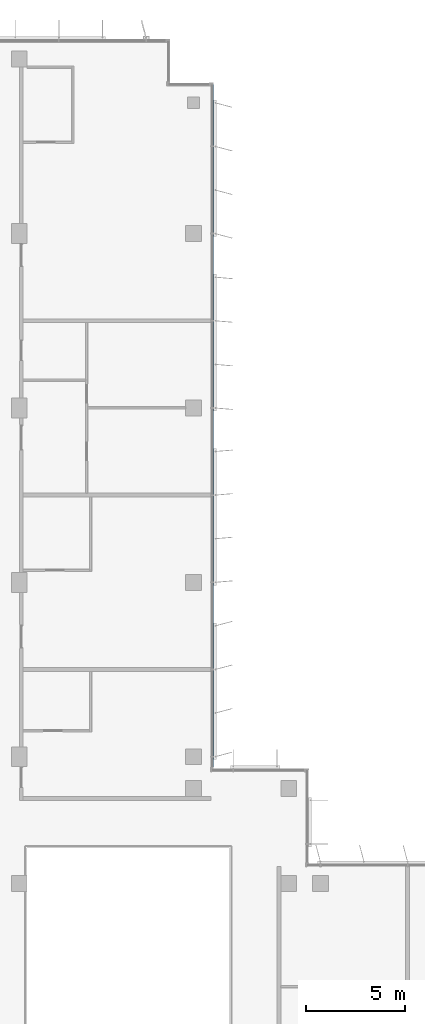
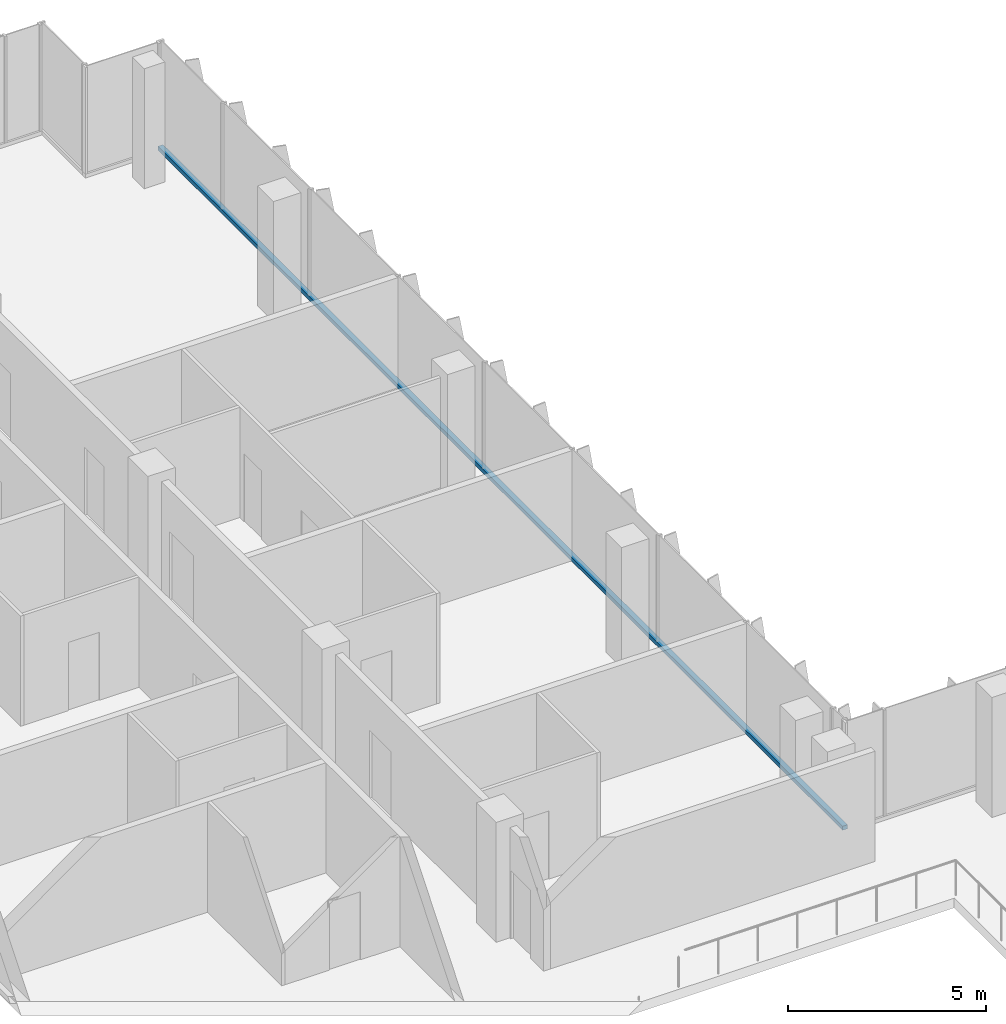
# One storey, part 5 of 15: 1 member, 1 element without a shape of its own.
"""IFC4 building model written with IfcOpenShell, lengths in metres."""

import ifcopenshell
import ifcopenshell.guid

model = None  # the IFC model being written
_history = None  # IfcOwnerHistory: only IFC2X3 demands one
_inside = {}  # id of a spatial element -> (the spatial element, [elements in it])
_under = {}  # id of a project, library or spatial element -> (it, [spatial elements below it])
_declared = {}  # id of a project -> (the project, [libraries it declares])
_typed = {}  # id of a type object -> (the type object, [elements of that type])
_made_of = {}  # id of a material, layer set ... -> (it, [elements and type objects made of it])


def new_model(schema):
    """Start an empty IFC model of exactly this schema.

    Asked for "IFC4X3", IfcOpenShell would pick the latest addendum, in which some entities
    have other attributes; the version numbers below select the first issue.
    IFC2X3 requires an IfcOwnerHistory on every rooted entity: one is made here for all.
    """
    global model, _history
    if schema == "IFC4X3":
        model = ifcopenshell.file(schema_version=(4, 3, 0, 0))
    else:
        model = ifcopenshell.file(schema=schema)
    _inside.clear()
    _under.clear()
    _declared.clear()
    _typed.clear()
    _made_of.clear()
    _history = None
    if model.schema == "IFC2X3":
        org = make("IfcOrganization", Name="unknown")
        user = make(
            "IfcPersonAndOrganization",
            ThePerson=make("IfcPerson", FamilyName="unknown"),
            TheOrganization=org,
        )
        app = make(
            "IfcApplication",
            ApplicationDeveloper=org,
            Version="unknown",
            ApplicationFullName="unknown",
            ApplicationIdentifier="unknown",
        )
        _history = make(
            "IfcOwnerHistory",
            OwningUser=user,
            OwningApplication=app,
            ChangeAction="ADDED",
            CreationDate=0,
        )
    return model


def make(cls, **values):
    """One entity of the class cls with the attributes given. An attribute that is None is left unset."""
    return model.create_entity(
        cls, **{name: value for name, value in values.items() if value is not None}
    )


def rooted(cls, **values):
    """An entity with a GlobalId (a new one), such as an element, a storey or a relation."""
    return make(cls, GlobalId=ifcopenshell.guid.new(), OwnerHistory=_history, **values)


def si_unit(unit_type, name, prefix=None):
    """IfcSIUnit, for example si_unit("LENGTHUNIT", "METRE", prefix="MILLI")."""
    return make("IfcSIUnit", UnitType=unit_type, Prefix=prefix, Name=name)


def assignment(units):
    """IfcUnitAssignment: the units of a project."""
    return None if units is None else make("IfcUnitAssignment", Units=units)


def point(xyz):
    """IfcCartesianPoint."""
    return None if xyz is None else make("IfcCartesianPoint", Coordinates=xyz)


def direction(xyz):
    """IfcDirection."""
    return None if xyz is None else make("IfcDirection", DirectionRatios=xyz)


def frame(location, z_axis=None, x_axis=None):
    """IfcAxis2Placement3D, a coordinate frame: its origin and axes. An axis left out is left unset."""
    return make(
        "IfcAxis2Placement3D",
        Location=point(location),
        Axis=direction(z_axis),
        RefDirection=direction(x_axis),
    )


def frame_2d(location, x_axis=None):
    """IfcAxis2Placement2D, a coordinate frame in the plane: its origin and x axis."""
    return make(
        "IfcAxis2Placement2D", Location=point(location), RefDirection=direction(x_axis)
    )


def origin():
    """The frame at (0, 0, 0) with its axes left unset."""
    return frame((0.0, 0.0, 0.0))


def origin_2d():
    """The frame at (0, 0) in the plane with its x axis left unset."""
    return frame_2d((0.0, 0.0))


def place(relative_to, where):
    """IfcLocalPlacement: puts the frame where relative to a parent placement (None: the world)."""
    return make(
        "IfcLocalPlacement", PlacementRelTo=relative_to, RelativePlacement=where
    )


def context(
    kind, dimensions, precision=None, world=None, true_north=None, identifier=None
):
    """IfcGeometricRepresentationContext, for example the 3D "Model" context."""
    return make(
        "IfcGeometricRepresentationContext",
        ContextIdentifier=identifier,
        ContextType=kind,
        CoordinateSpaceDimension=dimensions,
        Precision=precision,
        WorldCoordinateSystem=world,
        TrueNorth=true_north,
    )


def subcontext(parent, identifier, kind, view, scale=None):
    """IfcGeometricRepresentationSubContext, for example "Body" below "Model"."""
    return make(
        "IfcGeometricRepresentationSubContext",
        ContextIdentifier=identifier,
        ContextType=kind,
        ParentContext=parent,
        TargetScale=scale,
        TargetView=view,
    )


def project(units=None, contexts=None):
    """IfcProject with its units and contexts."""
    return rooted(
        "IfcProject",
        Name="project",
        RepresentationContexts=contexts,
        UnitsInContext=assignment(units),
    )


def spatial(cls, under=None, at=None, **own):
    """A site, building, storey or space (cls), placed at a placement, below another one or the project."""
    s = rooted(cls, ObjectPlacement=at, **own)
    if under is not None:
        _under.setdefault(under.id(), (under, []))[1].append(s)
    return s


def profile(cls, at=None, kind="AREA", **sizes):
    """A parametric profile (cls). Its sizes go by their IFC names, for example OverallWidth=200.0."""
    return make(cls, ProfileType=kind, Position=at, **sizes)


def rectangle(**sizes):
    """IfcRectangleProfileDef."""
    return profile("IfcRectangleProfileDef", **sizes)


def extrude(swept, where, along, depth):
    """IfcExtrudedAreaSolid: the profile swept, set in the frame where, extruded along a direction by depth."""
    return make(
        "IfcExtrudedAreaSolid",
        SweptArea=swept,
        Position=where,
        ExtrudedDirection=direction(along),
        Depth=depth,
    )


def shape(context_of_items, identifier, shape_type, items):
    """IfcShapeRepresentation: the items that make up one representation, for example the "Body"."""
    return make(
        "IfcShapeRepresentation",
        ContextOfItems=context_of_items,
        RepresentationIdentifier=identifier,
        RepresentationType=shape_type,
        Items=items,
    )


def material(Name=None, Category=None):
    """IfcMaterial."""
    return make("IfcMaterial", Name=Name, Category=Category)


def material_profile(
    of_material, cross_section, Name=None, Category=None, Priority=None
):
    """IfcMaterialProfile: a cross section and its material."""
    return make(
        "IfcMaterialProfile",
        Name=Name,
        Material=of_material,
        Profile=cross_section,
        Priority=Priority,
        Category=Category,
    )


def profile_set(profiles, Name=None, composite=None):
    """IfcMaterialProfileSet."""
    return make(
        "IfcMaterialProfileSet",
        Name=Name,
        MaterialProfiles=profiles,
        CompositeProfile=composite,
    )


def made_of(thing, what):
    """Note that an element or type object is made of a material, layer set ...; save() writes the relation."""
    if what is not None:
        _made_of.setdefault(what.id(), (what, []))[1].append(thing)
    return thing


def type_object(cls, material=None, **own):
    """A type object (cls), such as IfcWallType, which elements share."""
    return made_of(rooted(cls, **own), material)


def element(
    cls,
    number,
    at=None,
    inside=None,
    cuts=None,
    type_object=None,
    material=None,
    context=None,
    identifier="Body",
    shape_type=None,
    held_by="IfcProductDefinitionShape",
    body=None,
    shapes=None,
    **own,
):
    """One element of the class cls, such as IfcWall. Its Tag is "e" and its number.

    at: its placement. inside: the storey or other place that contains it. cuts: it is an
    opening in that element (IfcRelVoidsElement). A single representation is given by context,
    identifier, shape_type and body (its items); several are given by shapes. held_by: the class
    of the entity that holds the representations. save() writes the other relations.
    """
    e = rooted(cls, Tag="e%d" % number, ObjectPlacement=at, **own)
    if body is not None:
        shapes = [shape(context, identifier, shape_type, body)]
    if shapes is not None:
        e.Representation = make(held_by, Representations=shapes)
    if inside is not None:
        _inside.setdefault(inside.id(), (inside, []))[1].append(e)
    if cuts is not None:
        rooted(
            "IfcRelVoidsElement", RelatingBuildingElement=cuts, RelatedOpeningElement=e
        )
    if type_object is not None:
        _typed.setdefault(type_object.id(), (type_object, []))[1].append(e)
    return made_of(e, material)


def aggregate(whole, parts):
    """IfcRelAggregates: a whole, such as a stair, and the parts it consists of."""
    return rooted("IfcRelAggregates", RelatingObject=whole, RelatedObjects=parts)


def save(model, path):
    """Write the relations noted so far, then the file.

    IfcRelAggregates (storeys below a building ...), IfcRelContainedInSpatialStructure (elements
    in a storey), IfcRelDefinesByType, IfcRelAssociatesMaterial and IfcRelDeclares: one each for
    every whole, place, type object, material and project.
    """
    for whole, parts in _under.values():
        aggregate(whole, parts)
    for where, things in _inside.values():
        rooted(
            "IfcRelContainedInSpatialStructure",
            RelatedElements=things,
            RelatingStructure=where,
        )
    for kind, things in _typed.values():
        rooted("IfcRelDefinesByType", RelatedObjects=things, RelatingType=kind)
    for what, things in _made_of.values():
        rooted("IfcRelAssociatesMaterial", RelatedObjects=things, RelatingMaterial=what)
    for by, libraries in _declared.values():
        rooted("IfcRelDeclares", RelatingContext=by, RelatedDefinitions=libraries)
    model.write(path)


model = new_model("IFC4")

# Units and contexts
model_context = context("Model", 3, precision=1e-05, world=origin(), true_north=direction((0.0, 1.0)))
body_context = subcontext(model_context, "Body", "Model", "MODEL_VIEW")
ifc_project = project(units=[si_unit("LENGTHUNIT", "METRE"), si_unit("AREAUNIT", "SQUARE_METRE"), si_unit("VOLUMEUNIT", "CUBIC_METRE"), si_unit("PLANEANGLEUNIT", "RADIAN"), si_unit("MASSUNIT", "GRAM", prefix="KILO")], contexts=[model_context])

# Site, building, storey
site_placement = place(None, origin())
site = spatial("IfcSite", under=ifc_project, at=site_placement, CompositionType="ELEMENT")
building_placement = place(site_placement, origin())
building = spatial("IfcBuilding", under=site, at=building_placement, Name="Kemantara Hotel Tower", CompositionType="ELEMENT")
storey_placement = place(building_placement, frame((0.0, 0.0, 261.10009765625)))
storey = spatial("IfcBuildingStorey", under=building, at=storey_placement, Name="L65", CompositionType="ELEMENT", Elevation=261.10009765625)

# Curtain wall, member
ifc_material_1 = material(Name="Low-E tinted double insulated glass 36 mm", Category="glass")
curtain_wall_type = type_object("IfcCurtainWallType", Name="TOWER CURTAIN WALL, FRONT FACES", PredefinedType="USERDEFINED", material=ifc_material_1)
curtain_wall_placement = place(storey_placement, origin())
curtain_wall = element("IfcCurtainWall", 1, at=curtain_wall_placement, inside=storey, type_object=curtain_wall_type, Name="CW4 L65 T4-R15-1", ObjectType="TOWER CURTAIN WALL, FRONT FACES", PredefinedType="USERDEFINED")
ifc_material_2 = material(Name="Aluminium 6063-T6 bronze anodised", Category="aluminium")
ifc_material_profile = material_profile(ifc_material_2, rectangle(XDim=0.14990234375, YDim=0.1201171875, at=origin_2d()), Name="TOWER CURTAIN WALL, FRONT FACES TRANSOM")
ifc_profile_set = profile_set([ifc_material_profile], Name="Aluminium 6063-T6 bronze anodised")
member_type = type_object("IfcMemberType", Name="TOWER CURTAIN WALL, FRONT FACES TRANSOM", PredefinedType="USERDEFINED", material=ifc_profile_set)
member_placement = place(storey_placement, frame((21.925048828125, 26.800048828125, 0.059814453125), z_axis=(0.0, 1.0, 0.0), x_axis=(-1.0, 0.0, 0.0)))
member = element("IfcMember", 2, at=member_placement, type_object=member_type, Name="CW4 sill transom T4-R15-1", ObjectType="TRANSOM", PredefinedType="USERDEFINED", context=body_context, shape_type="SweptSolid", body=[
    extrude(rectangle(XDim=0.14990234375, YDim=0.1201171875, at=origin_2d()), origin(), (0.0, 0.0, 1.0), 34.599853515625),
])
aggregate(curtain_wall, [member])

save(model, "model.ifc")
